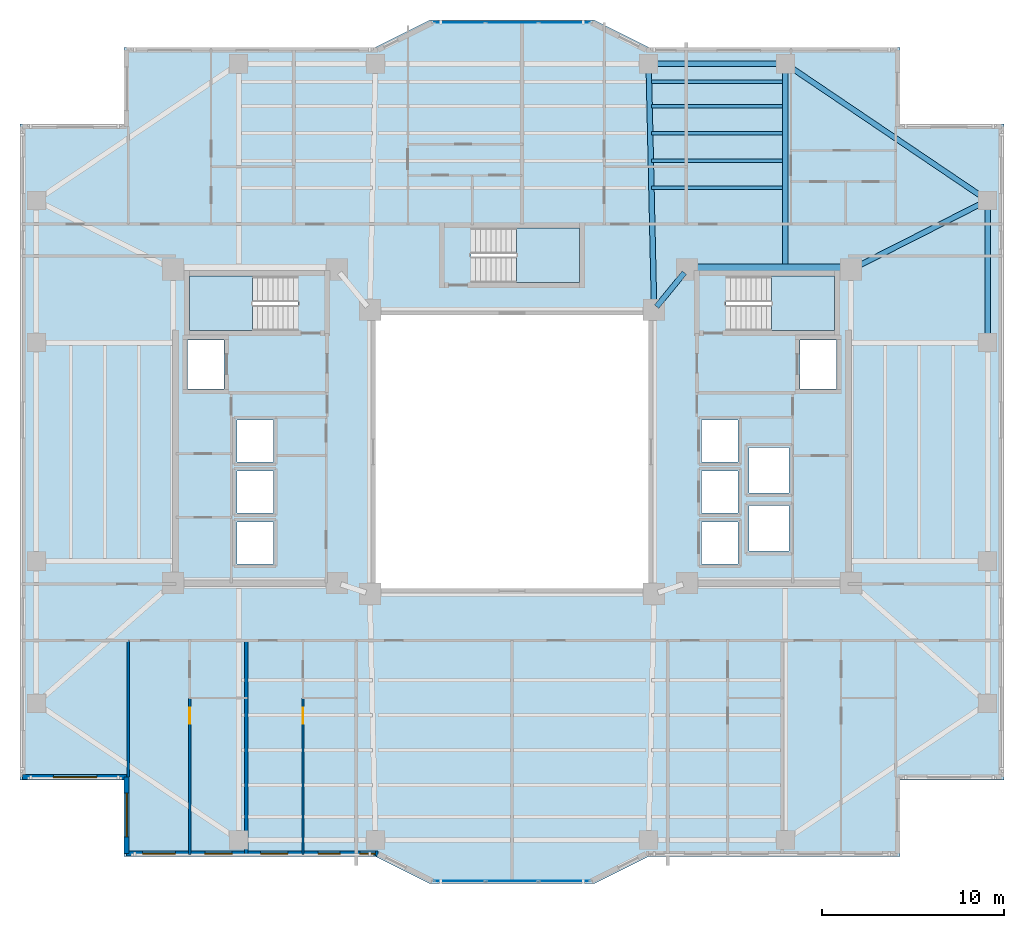
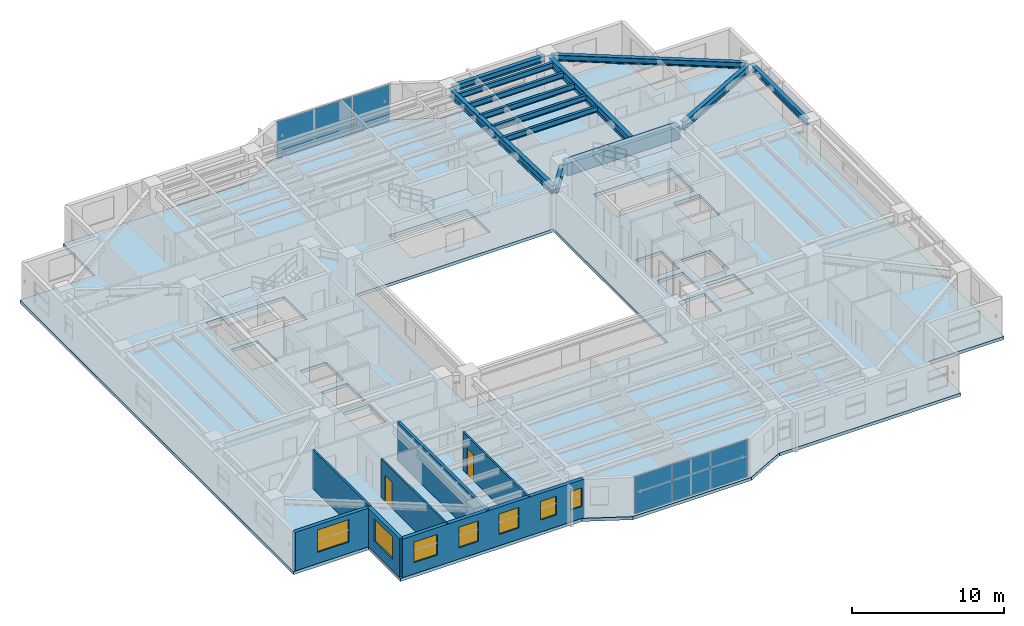
# One storey, part 5 of 18: 13 beams, 7 walls, 7 windows, 6 plates, 4 slabs, 2 doors, 9 openings, 5 elements without a shape of their own.
"""IFC4 building model written with IfcOpenShell, lengths in metres."""

from ifc_helpers import new_model, si_unit, direction, frame, frame_2d, origin, origin_2d, place, context, subcontext, project, spatial, polyline, rectangle, i_section, outline, extrude, material, layer, layer_set, material_profile, profile_set, type_object, element, fill, aggregate, save


model = new_model("IFC4")

# Units and contexts
model_context = context("Model", 3, precision=1e-05, world=origin(), true_north=direction((0.0, 1.0)))
body_context = subcontext(model_context, "Body", "Model", "MODEL_VIEW")
ifc_project = project(units=[si_unit("LENGTHUNIT", "METRE"), si_unit("AREAUNIT", "SQUARE_METRE"), si_unit("VOLUMEUNIT", "CUBIC_METRE"), si_unit("PLANEANGLEUNIT", "RADIAN"), si_unit("MASSUNIT", "GRAM", prefix="KILO")], contexts=[model_context])

# Site, building, storey
site_placement = place(None, origin())
site = spatial("IfcSite", under=ifc_project, at=site_placement, CompositionType="ELEMENT")
building_placement = place(site_placement, origin())
building = spatial("IfcBuilding", under=site, at=building_placement, Name="Tarnavaz Court Tower", CompositionType="ELEMENT")
storey_placement = place(building_placement, frame((0.0, 0.0, 101.75)))
storey = spatial("IfcBuildingStorey", under=building, at=storey_placement, Name="L27", CompositionType="ELEMENT", Elevation=101.75)

# Beams
ifc_material_1 = material(Name="Concrete C60/75", Category="concrete")
ifc_material_profile_1 = material_profile(ifc_material_1, rectangle(XDim=0.60009765625, YDim=1.0, at=origin_2d()), Name="RC 600X1000")
ifc_profile_set_1 = profile_set([ifc_material_profile_1], Name="Concrete C60/75")
beam_type_1 = type_object("IfcBeamType", Name="BM-CB1000", PredefinedType="LINTEL", material=ifc_profile_set_1)
beam_1_placement = place(storey_placement, frame((18.3798828125, 10.0, 2.60009765625), z_axis=(-1.0, 0.0, 0.0), x_axis=(0.0, -1.0, 0.0)))
element("IfcBeam", 1, at=beam_1_placement, inside=storey, type_object=beam_type_1, Name="L27 Beam IN-CE-NO-CE-NI", PredefinedType="LINTEL", context=body_context, shape_type="SweptSolid", body=[
    extrude(rectangle(XDim=0.60009765625, YDim=1.0, at=origin_2d()), origin(), (0.0, 0.0, 1.0), 8.559814453125),
])
ifc_material_2 = material(Name="Steel S355", Category="steel")
ifc_material_profile_2 = material_profile(ifc_material_2, i_section(OverallWidth=0.300048828125, OverallDepth=0.64990234375, WebThickness=0.01611328125, FlangeThickness=0.031005859375, FilletRadius=0.027099609375, at=origin_2d()), Name="HEB 650")
ifc_profile_set_2 = profile_set([ifc_material_profile_2], Name="Steel S355")
beam_type_2 = type_object("IfcBeamType", Name="BM-G-HEB650", PredefinedType="USERDEFINED", material=ifc_profile_set_2)
beam_2_placement = place(storey_placement, frame((9.460693359375, 9.82958984375, 2.77490234375), z_axis=(-0.633282058357, -0.773921077735, 0.0), x_axis=(0.773921077735, -0.633282058357, 0.0)))
element("IfcBeam", 2, at=beam_2_placement, inside=storey, type_object=beam_type_2, Name="L27 Beam IN-CE-NI-IW-NE", ObjectType="GIRDER", PredefinedType="USERDEFINED", context=body_context, shape_type="SweptSolid", body=[
    extrude(i_section(OverallWidth=0.300048828125, OverallDepth=0.64990234375, WebThickness=0.01611328125, FlangeThickness=0.031005859375, FilletRadius=0.027099609375, at=origin_2d()), origin(), (0.0, 0.0, 1.0), 2.402587890625),
])
beam_3_placement = place(storey_placement, frame((7.795166015625, 8.02001953125, 2.77490234375), z_axis=(-0.022221303469, 0.99975307635, 0.0), x_axis=(-0.99975307635, -0.022221303469, 0.0)))
element("IfcBeam", 3, at=beam_3_placement, inside=storey, type_object=beam_type_2, Name="L27 Beam RG-03", ObjectType="GIRDER", PredefinedType="USERDEFINED", context=body_context, shape_type="SweptSolid", body=[
    extrude(i_section(OverallWidth=0.300048828125, OverallDepth=0.64990234375, WebThickness=0.01611328125, FlangeThickness=0.031005859375, FilletRadius=0.027099609375, at=origin_2d()), origin(), (0.0, 0.0, 1.0), 13.063232421875),
])
beam_4_placement = place(storey_placement, frame((15.0, 10.0400390625, 2.77490234375), z_axis=(0.0, 1.0, 0.0), x_axis=(-1.0, 0.0, 0.0)))
element("IfcBeam", 4, at=beam_4_placement, inside=storey, type_object=beam_type_2, Name="L27 Beam RG-04", ObjectType="GIRDER", PredefinedType="USERDEFINED", context=body_context, shape_type="SweptSolid", body=[
    extrude(i_section(OverallWidth=0.300048828125, OverallDepth=0.64990234375, WebThickness=0.01611328125, FlangeThickness=0.031005859375, FilletRadius=0.027099609375, at=origin_2d()), origin(), (0.0, 0.0, 1.0), 11.0400390625),
])
beam_5_placement = place(storey_placement, frame((18.796142578125, 10.099365234375, 2.77490234375), z_axis=(0.892030669981, 0.451974870776, 0.0), x_axis=(-0.451974870776, 0.892030669981, 0.0)))
element("IfcBeam", 5, at=beam_5_placement, inside=storey, type_object=beam_type_2, Name="L27 Beam RG-12", ObjectType="GIRDER", PredefinedType="USERDEFINED", context=body_context, shape_type="SweptSolid", body=[
    extrude(i_section(OverallWidth=0.300048828125, OverallDepth=0.64990234375, WebThickness=0.01611328125, FlangeThickness=0.031005859375, FilletRadius=0.027099609375, at=origin_2d()), origin(), (0.0, 0.0, 1.0), 7.968017578125),
])
ifc_material_profile_3 = material_profile(ifc_material_2, i_section(OverallWidth=0.18994140625, OverallDepth=0.449951171875, WebThickness=0.009521484375, FlangeThickness=0.0146484375, FilletRadius=0.02099609375, at=origin_2d()), Name="IPE 450")
ifc_profile_set_3 = profile_set([ifc_material_profile_3], Name="Steel S355")
beam_type_3 = type_object("IfcBeamType", Name="BM-J-IPE450", PredefinedType="JOIST", material=ifc_profile_set_3)
for number, where, z_axis, x_axis, name in (
    (6, (7.64990234375, 14.493896484375, 2.875), (1.0, 0.0, 0.0), (0.0, 1.0, 0.0), "L27 Beam JN1-3"),
    (7, (7.64990234375, 15.988037109375, 2.875), (1.0, 0.0, 0.0), (0.0, 1.0, 0.0), "L27 Beam JN2-3"),
    (8, (7.64990234375, 17.48193359375, 2.875), (1.0, 0.0, 0.0), (0.0, 1.0, 0.0), "L27 Beam JN3-3"),
    (9, (7.64990234375, 18.97607421875, 2.875), (1.0, 0.0, 0.0), (0.0, 1.0, 0.0), "L27 Beam JN4-3"),
    (10, (7.64990234375, 20.303955078125, 2.875), (1.0, 0.0, 0.0), (0.0, 1.0, 0.0), "L27 Beam JN5-3"),
):
    element("IfcBeam", number, at=place(storey_placement, frame(where, z_axis=z_axis, x_axis=x_axis)), inside=storey, type_object=beam_type_3, Name=name, PredefinedType="JOIST", context=body_context, shape_type="SweptSolid", body=[
        extrude(i_section(OverallWidth=0.18994140625, OverallDepth=0.449951171875, WebThickness=0.009521484375, FlangeThickness=0.0146484375, FilletRadius=0.02099609375, at=origin_2d()), origin(), (0.0, 0.0, 1.0), 7.2001953125),
    ])
ifc_material_profile_4 = material_profile(ifc_material_2, i_section(OverallWidth=0.300048828125, OverallDepth=0.489990234375, WebThickness=0.011962890625, FlangeThickness=0.02294921875, FilletRadius=0.027099609375, at=origin_2d()), Name="HEA 500")
ifc_profile_set_4 = profile_set([ifc_material_profile_4], Name="Steel S355")
beam_type_4 = type_object("IfcBeamType", Name="BM-SP-HEA500", PredefinedType="SPANDREL", material=ifc_profile_set_4)
beam_6_placement = place(storey_placement, frame((7.719970703125, 21.300048828125, 2.85498046875), z_axis=(1.0, 0.0, 0.0), x_axis=(0.0, 1.0, 0.0)))
element("IfcBeam", 11, at=beam_6_placement, inside=storey, type_object=beam_type_4, Name="L27 Beam PR-PN-3-PN-4", PredefinedType="SPANDREL", context=body_context, shape_type="SweptSolid", body=[
    extrude(i_section(OverallWidth=0.300048828125, OverallDepth=0.489990234375, WebThickness=0.011962890625, FlangeThickness=0.02294921875, FilletRadius=0.027099609375, at=origin_2d()), origin(), (0.0, 0.0, 1.0), 7.06005859375),
])
beam_7_placement = place(storey_placement, frame((26.10009765625, 6.219970703125, 2.85498046875), z_axis=(0.0, 1.0, 0.0), x_axis=(-1.0, 0.0, 0.0)))
element("IfcBeam", 12, at=beam_7_placement, inside=storey, type_object=beam_type_4, Name="L27 Beam PR-PE-3-PE-4", PredefinedType="SPANDREL", context=body_context, shape_type="SweptSolid", body=[
    extrude(i_section(OverallWidth=0.300048828125, OverallDepth=0.489990234375, WebThickness=0.011962890625, FlangeThickness=0.02294921875, FilletRadius=0.027099609375, at=origin_2d()), origin(), (0.0, 0.0, 1.0), 7.360107421875),
])
beam_8_placement = place(storey_placement, frame((15.182373046875, 21.1767578125, 2.85498046875), z_axis=(0.828587314918, -0.559859858854, 0.0), x_axis=(0.559859858854, 0.828587314918, 0.0)))
element("IfcBeam", 13, at=beam_8_placement, inside=storey, type_object=beam_type_4, Name="L27 Beam PR-PN-4-PE-4", PredefinedType="SPANDREL", context=body_context, shape_type="SweptSolid", body=[
    extrude(i_section(OverallWidth=0.300048828125, OverallDepth=0.489990234375, WebThickness=0.011962890625, FlangeThickness=0.02294921875, FilletRadius=0.027099609375, at=origin_2d()), origin(), (0.0, 0.0, 1.0), 12.956298828125),
])

# Curtain wall, plates
ifc_material_3 = material(Name="Anodised Aluminium 6063-T6 and Solar Low-E Glazing", Category="aluminium")
ifc_layer_1 = layer(ifc_material_3, 0.179931640625)
ifc_layer_set_1 = layer_set([ifc_layer_1], Name="Anodised Aluminium 6063-T6 and Solar Low-E Glazing")
curtain_wall_type = type_object("IfcCurtainWallType", Name="CW-SYS-02", PredefinedType="NOTDEFINED", material=ifc_layer_set_1)
curtain_wall_1_placement = place(storey_placement, origin())
curtain_wall_1 = element("IfcCurtainWall", 14, at=curtain_wall_1_placement, inside=storey, type_object=curtain_wall_type, Name="L27 Iwan Prow Curtain Wall 7", PredefinedType="NOTDEFINED")
ifc_material_4 = material(Name="Double-Glazed Solar Low-E Glass", Category="glass")
ifc_layer_2 = layer(ifc_material_4, 0.028076171875)
ifc_layer_set_2 = layer_set([ifc_layer_2], Name="Double-Glazed Solar Low-E Glass")
plate_type = type_object("IfcPlateType", Name="CW-PAN-GLZ28", PredefinedType="CURTAIN_PANEL", material=ifc_layer_set_2)
plate_1_placement = place(storey_placement, frame((-2.88134765625, 23.550048828125, 0.06494140625), z_axis=(0.0, 0.0, 1.0), x_axis=(1.0, 0.0, 0.0)))
plate_1 = element("IfcPlate", 15, at=plate_1_placement, type_object=plate_type, Name="CW panel 1.1", PredefinedType="CURTAIN_PANEL", context=body_context, shape_type="SweptSolid", body=[
    extrude(rectangle(XDim=2.78759765625, YDim=0.028076171875, at=origin_2d()), origin(), (0.0, 0.0, 1.0), 2.969970703125),
])
plate_2_placement = place(storey_placement, frame((0.0, 23.550048828125, 0.06494140625), z_axis=(0.0, 0.0, 1.0), x_axis=(1.0, 0.0, 0.0)))
plate_2 = element("IfcPlate", 16, at=plate_2_placement, type_object=plate_type, Name="CW panel 2.1", PredefinedType="CURTAIN_PANEL", context=body_context, shape_type="SweptSolid", body=[
    extrude(rectangle(XDim=2.824951171875, YDim=0.028076171875, at=origin_2d()), origin(), (0.0, 0.0, 1.0), 2.969970703125),
])
plate_3_placement = place(storey_placement, frame((2.88134765625, 23.550048828125, 0.06494140625), z_axis=(0.0, 0.0, 1.0), x_axis=(1.0, 0.0, 0.0)))
plate_3 = element("IfcPlate", 17, at=plate_3_placement, type_object=plate_type, Name="CW panel 3.1", PredefinedType="CURTAIN_PANEL", context=body_context, shape_type="SweptSolid", body=[
    extrude(rectangle(XDim=2.78759765625, YDim=0.028076171875, at=origin_2d()), origin(), (0.0, 0.0, 1.0), 2.969970703125),
])
aggregate(curtain_wall_1, [plate_1, plate_2, plate_3])

curtain_wall_2_placement = place(storey_placement, origin())
curtain_wall_2 = element("IfcCurtainWall", 18, at=curtain_wall_2_placement, inside=storey, type_object=curtain_wall_type, Name="L27 Iwan Prow Curtain Wall 17", PredefinedType="NOTDEFINED")
plate_4_placement = place(storey_placement, frame((2.88134765625, -23.550048828125, 0.06494140625), z_axis=(0.0, 0.0, 1.0), x_axis=(-1.0, 0.0, 0.0)))
plate_4 = element("IfcPlate", 19, at=plate_4_placement, type_object=plate_type, Name="CW panel 1.1", PredefinedType="CURTAIN_PANEL", context=body_context, shape_type="SweptSolid", body=[
    extrude(rectangle(XDim=2.78759765625, YDim=0.028076171875, at=origin_2d()), origin(), (0.0, 0.0, 1.0), 2.969970703125),
])
plate_5_placement = place(storey_placement, frame((0.0, -23.550048828125, 0.06494140625), z_axis=(0.0, 0.0, 1.0), x_axis=(-1.0, 0.0, 0.0)))
plate_5 = element("IfcPlate", 20, at=plate_5_placement, type_object=plate_type, Name="CW panel 2.1", PredefinedType="CURTAIN_PANEL", context=body_context, shape_type="SweptSolid", body=[
    extrude(rectangle(XDim=2.824951171875, YDim=0.028076171875, at=origin_2d()), origin(), (0.0, 0.0, 1.0), 2.969970703125),
])
plate_6_placement = place(storey_placement, frame((-2.88134765625, -23.550048828125, 0.06494140625), z_axis=(0.0, 0.0, 1.0), x_axis=(-1.0, 0.0, 0.0)))
plate_6 = element("IfcPlate", 21, at=plate_6_placement, type_object=plate_type, Name="CW panel 3.1", PredefinedType="CURTAIN_PANEL", context=body_context, shape_type="SweptSolid", body=[
    extrude(rectangle(XDim=2.78759765625, YDim=0.028076171875, at=origin_2d()), origin(), (0.0, 0.0, 1.0), 2.969970703125),
])
aggregate(curtain_wall_2, [plate_4, plate_5, plate_6])

# Stair, slab
ifc_material_5 = material(Name="Concrete C40/50", Category="concrete")
stair_type = type_object("IfcStairType", Name="ST-TWR-20R", PredefinedType="HALF_TURN_STAIR", material=ifc_material_5)
stair_1_placement = place(storey_placement, origin())
stair_1 = element("IfcStair", 22, at=stair_1_placement, inside=storey, type_object=stair_type, Name="L27 West Core Pressurized Exit Stair ST-W1", PredefinedType="HALF_TURN_STAIR")
ifc_layer_3 = layer(ifc_material_5, 0.199951171875)
ifc_layer_set_3 = layer_set([ifc_layer_3], Name="Concrete C40/50")
slab_type_1 = type_object("IfcSlabType", Name="SL-LAND-200", PredefinedType="LANDING", material=ifc_layer_set_3)
slab_1_placement = place(storey_placement, frame((0.0, 0.0, 1.47509765625)))
slab_1 = element("IfcSlab", 23, at=slab_1_placement, type_object=slab_type_1, Name="ST-W1 landing 1", PredefinedType="LANDING", context=body_context, shape_type="SweptSolid", body=[
    extrude(outline(polyline([(-14.239990234375, 9.639892578125), (-17.699951171875, 9.639892578125), (-17.699951171875, 6.64990234375), (-14.239990234375, 6.64990234375), (-14.239990234375, 9.639892578125)])), origin(), (0.0, 0.0, 1.0), 0.199951171875),
])
aggregate(stair_1, [slab_1])

stair_2_placement = place(storey_placement, origin())
stair_2 = element("IfcStair", 24, at=stair_2_placement, inside=storey, type_object=stair_type, Name="L27 East Core Pressurized Exit Stair ST-E1", PredefinedType="HALF_TURN_STAIR")
slab_2_placement = place(storey_placement, frame((0.0, 0.0, 1.47509765625)))
slab_2 = element("IfcSlab", 25, at=slab_2_placement, type_object=slab_type_1, Name="ST-E1 landing 1", PredefinedType="LANDING", context=body_context, shape_type="SweptSolid", body=[
    extrude(outline(polyline([(14.239990234375, 6.64990234375), (17.699951171875, 6.64990234375), (17.699951171875, 9.639892578125), (14.239990234375, 9.639892578125), (14.239990234375, 6.64990234375)])), origin(), (0.0, 0.0, 1.0), 0.199951171875),
])
aggregate(stair_2, [slab_2])

stair_3_placement = place(storey_placement, origin())
stair_3 = element("IfcStair", 26, at=stair_3_placement, inside=storey, type_object=stair_type, Name="L27 North Ring Pressurized Exit Stair ST-N1", PredefinedType="HALF_TURN_STAIR")
slab_3_placement = place(storey_placement, frame((0.0, 0.0, 1.47509765625)))
slab_3 = element("IfcSlab", 27, at=slab_3_placement, type_object=slab_type_1, Name="ST-N1 landing 1", PredefinedType="LANDING", context=body_context, shape_type="SweptSolid", body=[
    extrude(outline(polyline([(0.239990234375, 9.300048828125), (3.699951171875, 9.300048828125), (3.699951171875, 12.2900390625), (0.239990234375, 12.2900390625), (0.239990234375, 9.300048828125)])), origin(), (0.0, 0.0, 1.0), 0.199951171875),
])
aggregate(stair_3, [slab_3])

# Slab
ifc_layer_4 = layer(ifc_material_5, 0.25)
ifc_layer_set_4 = layer_set([ifc_layer_4], Name="Concrete C40/50")
slab_type_2 = type_object("IfcSlabType", Name="SL-RES-250", PredefinedType="FLOOR", material=ifc_layer_set_4)
slab_4_placement = place(storey_placement, frame((0.0, 0.0, -0.25)))
element("IfcSlab", 28, at=slab_4_placement, inside=storey, type_object=slab_type_2, Name="L27 Structural Floor Slab", PredefinedType="FLOOR", context=body_context, shape_type="SweptSolid", body=[
    extrude(outline(polyline([(-21.300048828125, -22.199951171875), (-7.5, -22.199951171875), (-4.5, -23.699951171875), (4.5, -23.699951171875), (7.5, -22.199951171875), (21.300048828125, -22.199951171875), (21.300048828125, -18.0), (27.0, -18.0), (27.0, 18.0), (21.300048828125, 18.0), (21.300048828125, 22.199951171875), (7.5, 22.199951171875), (4.5, 23.699951171875), (-4.5, 23.699951171875), (-7.5, 22.199951171875), (-21.300048828125, 22.199951171875), (-21.300048828125, 18.0), (-27.0, 18.0), (-27.0, -18.0), (-21.300048828125, -18.0), (-21.300048828125, -22.199951171875)]), holes=[polyline([(-7.5, -7.5), (7.5, -7.5), (7.5, 7.5), (-7.5, 7.5), (-7.5, -7.5)]), polyline([(-11.7451171875, 9.639892578125), (-17.699951171875, 9.639892578125), (-17.699951171875, 6.64990234375), (-11.7451171875, 6.64990234375), (-11.7451171875, 9.639892578125)]), polyline([(11.7451171875, 6.64990234375), (17.699951171875, 6.64990234375), (17.699951171875, 9.639892578125), (11.7451171875, 9.639892578125), (11.7451171875, 6.64990234375)]), polyline([(-2.2548828125, 9.300048828125), (3.699951171875, 9.300048828125), (3.699951171875, 12.2900390625), (-2.2548828125, 12.2900390625), (-2.2548828125, 9.300048828125)]), polyline([(-17.800048828125, 3.449951171875), (-15.800048828125, 3.449951171875), (-15.800048828125, 6.14990234375), (-17.800048828125, 6.14990234375), (-17.800048828125, 3.449951171875)]), polyline([(-15.10009765625, -6.14990234375), (-13.10009765625, -6.14990234375), (-13.10009765625, -3.85009765625), (-15.10009765625, -3.85009765625), (-15.10009765625, -6.14990234375)]), polyline([(-15.10009765625, -3.35009765625), (-13.10009765625, -3.35009765625), (-13.10009765625, -1.050048828125), (-15.10009765625, -1.050048828125), (-15.10009765625, -3.35009765625)]), polyline([(-15.10009765625, -0.550048828125), (-13.10009765625, -0.550048828125), (-13.10009765625, 1.75), (-15.10009765625, 1.75), (-15.10009765625, -0.550048828125)]), polyline([(15.800048828125, 3.449951171875), (17.800048828125, 3.449951171875), (17.800048828125, 6.14990234375), (15.800048828125, 6.14990234375), (15.800048828125, 3.449951171875)]), polyline([(10.39990234375, -6.14990234375), (12.39990234375, -6.14990234375), (12.39990234375, -3.85009765625), (10.39990234375, -3.85009765625), (10.39990234375, -6.14990234375)]), polyline([(10.39990234375, -3.35009765625), (12.39990234375, -3.35009765625), (12.39990234375, -1.050048828125), (10.39990234375, -1.050048828125), (10.39990234375, -3.35009765625)]), polyline([(10.39990234375, -0.550048828125), (12.39990234375, -0.550048828125), (12.39990234375, 1.75), (10.39990234375, 1.75), (10.39990234375, -0.550048828125)]), polyline([(13.0, -5.449951171875), (15.199951171875, -5.449951171875), (15.199951171875, -2.949951171875), (13.0, -2.949951171875), (13.0, -5.449951171875)]), polyline([(13.0, -2.25), (15.199951171875, -2.25), (15.199951171875, 0.25), (13.0, 0.25), (13.0, -2.25)])]), origin(), (0.0, 0.0, 1.0), 0.25),
])

# Wall, opening, window
ifc_material_6 = material(Name="Precast Concrete C40/50", Category="concrete")
ifc_layer_5 = layer(ifc_material_6, 0.280029296875)
ifc_layer_set_5 = layer_set([ifc_layer_5], Name="Precast Concrete C40/50")
wall_type_1 = type_object("IfcWallType", Name="WL-EXT-280", PredefinedType="SOLIDWALL", material=ifc_layer_set_5)
wall_1_placement = place(storey_placement, frame((-21.14990234375, -17.85009765625, 0.0), z_axis=(0.0, 0.0, 1.0), x_axis=(-1.0, 0.0, 0.0)))
wall_1 = element("IfcWall", 29, at=wall_1_placement, inside=storey, type_object=wall_type_1, Name="L27 Exterior Terracotta Facade Wall 01", PredefinedType="SOLIDWALL", context=body_context, shape_type="SweptSolid", body=[
    extrude(rectangle(XDim=5.7001953125, YDim=0.280029296875, at=frame_2d((2.85009765625, 0.0))), origin(), (0.0, 0.0, 1.0), 3.10009765625),
])
opening_1_placement = place(wall_1_placement, frame((1.625, 0.0, 0.89990234375)))
opening_1 = element("IfcOpeningElement", 30, at=opening_1_placement, cuts=wall_1, Name="Opening W06", PredefinedType="OPENING", context=body_context, shape_type="SweptSolid", body=[
    extrude(rectangle(XDim=2.39990234375, YDim=1.800048828125, at=frame_2d((1.199951171875, 0.89990234375))), frame((0.0, 0.14990234375, 0.0), z_axis=(0.0, -1.0, 0.0), x_axis=(1.0, 0.0, 0.0)), (0.0, 0.0, 1.0), 0.300048828125),
])
window_type_1 = type_object("IfcWindowType", Name="WN-APT-2400", PartitioningType="TRIPLE_PANEL_VERTICAL", PredefinedType="WINDOW", material=ifc_material_4)
window_1_placement = place(opening_1_placement, origin())
window_1 = element("IfcWindow", 31, at=window_1_placement, inside=storey, type_object=window_type_1, Name="L27 South-West Corner Reading Room Window", OverallHeight=1.800048828125, OverallWidth=2.39990234375, PartitioningType="SINGLE_PANEL", PredefinedType="WINDOW", context=body_context, shape_type="SweptSolid", body=[
    extrude(rectangle(XDim=2.39990234375, YDim=1.800048828125, at=frame_2d((1.199951171875, 0.89990234375))), frame((0.0, 0.030029296875, 0.0), z_axis=(0.0, -1.0, 0.0), x_axis=(1.0, 0.0, 0.0)), (0.0, 0.0, 1.0), 0.06005859375),
])
fill(opening_1, window_1)

# Wall, openings, windows
wall_2_placement = place(storey_placement, frame((-7.35009765625, -22.050048828125, 0.0), z_axis=(0.0, 0.0, 1.0), x_axis=(-1.0, 0.0, 0.0)))
wall_2 = element("IfcWall", 32, at=wall_2_placement, inside=storey, type_object=wall_type_1, Name="L27 Exterior Terracotta Facade Wall 19", PredefinedType="SOLIDWALL", context=body_context, shape_type="SweptSolid", body=[
    extrude(rectangle(XDim=13.7998046875, YDim=0.280029296875, at=frame_2d((6.89990234375, 0.0))), origin(), (0.0, 0.0, 1.0), 3.10009765625),
])
opening_2_placement = place(wall_2_placement, frame((0.14697265625, 0.0, 0.949951171875)))
opening_2 = element("IfcOpeningElement", 33, at=opening_2_placement, cuts=wall_2, Name="Opening W15", PredefinedType="OPENING", context=body_context, shape_type="SweptSolid", body=[
    extrude(rectangle(XDim=0.85009765625, YDim=1.5, at=frame_2d((0.425048828125, 0.75))), frame((0.0, 0.14990234375, 0.0), z_axis=(0.0, -1.0, 0.0), x_axis=(1.0, 0.0, 0.0)), (0.0, 0.0, 1.0), 0.300048828125),
])
opening_3_placement = place(wall_2_placement, frame((2.084716796875, 0.0, 0.949951171875)))
opening_3 = element("IfcOpeningElement", 34, at=opening_3_placement, cuts=wall_2, Name="Opening W05", PredefinedType="OPENING", context=body_context, shape_type="SweptSolid", body=[
    extrude(rectangle(XDim=1.199951171875, YDim=1.5, at=frame_2d((0.60009765625, 0.75))), frame((0.0, 0.14990234375, 0.0), z_axis=(0.0, -1.0, 0.0), x_axis=(1.0, 0.0, 0.0)), (0.0, 0.0, 1.0), 0.300048828125),
])
opening_4_placement = place(wall_2_placement, frame((4.945556640625, 0.0, 0.89990234375)))
opening_4 = element("IfcOpeningElement", 35, at=opening_4_placement, cuts=wall_2, Name="Opening W03", PredefinedType="OPENING", context=body_context, shape_type="SweptSolid", body=[
    extrude(rectangle(XDim=1.5, YDim=1.64990234375, at=frame_2d((0.75, 0.824951171875))), frame((0.0, 0.14990234375, 0.0), z_axis=(0.0, -1.0, 0.0), x_axis=(1.0, 0.0, 0.0)), (0.0, 0.0, 1.0), 0.300048828125),
])
opening_5_placement = place(wall_2_placement, frame((8.006591796875, 0.0, 0.89990234375)))
opening_5 = element("IfcOpeningElement", 36, at=opening_5_placement, cuts=wall_2, Name="Opening W03", PredefinedType="OPENING", context=body_context, shape_type="SweptSolid", body=[
    extrude(rectangle(XDim=1.5, YDim=1.64990234375, at=frame_2d((0.75, 0.824951171875))), frame((0.0, 0.14990234375, 0.0), z_axis=(0.0, -1.0, 0.0), x_axis=(1.0, 0.0, 0.0)), (0.0, 0.0, 1.0), 0.300048828125),
])
opening_6_placement = place(wall_2_placement, frame((11.118408203125, 0.0, 0.89990234375)))
opening_6 = element("IfcOpeningElement", 37, at=opening_6_placement, cuts=wall_2, Name="Opening W01", PredefinedType="OPENING", context=body_context, shape_type="SweptSolid", body=[
    extrude(rectangle(XDim=1.800048828125, YDim=1.64990234375, at=frame_2d((0.89990234375, 0.824951171875))), frame((0.0, 0.14990234375, 0.0), z_axis=(0.0, -1.0, 0.0), x_axis=(1.0, 0.0, 0.0)), (0.0, 0.0, 1.0), 0.300048828125),
])
window_type_2 = type_object("IfcWindowType", Name="WN-APT-1200", PartitioningType="SINGLE_PANEL", PredefinedType="WINDOW", material=ifc_material_4)
window_2_placement = place(opening_3_placement, origin())
window_2 = element("IfcWindow", 38, at=window_2_placement, inside=storey, type_object=window_type_2, Name="L27 Flat 06 Kitchen Window", OverallHeight=1.5, OverallWidth=1.199951171875, PartitioningType="SINGLE_PANEL", PredefinedType="WINDOW", context=body_context, shape_type="SweptSolid", body=[
    extrude(rectangle(XDim=1.199951171875, YDim=1.5, at=frame_2d((0.60009765625, 0.75))), frame((0.0, 0.030029296875, 0.0), z_axis=(0.0, -1.0, 0.0), x_axis=(1.0, 0.0, 0.0)), (0.0, 0.0, 1.0), 0.06005859375),
])
fill(opening_3, window_2)
window_type_3 = type_object("IfcWindowType", Name="WN-APT-1500", PartitioningType="DOUBLE_PANEL_VERTICAL", PredefinedType="WINDOW", material=ifc_material_4)
window_3_placement = place(opening_4_placement, origin())
window_3 = element("IfcWindow", 39, at=window_3_placement, inside=storey, type_object=window_type_3, Name="L27 Flat 06 Studio Living and Sleeping Room Window", OverallHeight=1.64990234375, OverallWidth=1.5, PartitioningType="SINGLE_PANEL", PredefinedType="WINDOW", context=body_context, shape_type="SweptSolid", body=[
    extrude(rectangle(XDim=1.5, YDim=1.64990234375, at=frame_2d((0.75, 0.824951171875))), frame((0.0, 0.030029296875, 0.0), z_axis=(0.0, -1.0, 0.0), x_axis=(1.0, 0.0, 0.0)), (0.0, 0.0, 1.0), 0.06005859375),
])
fill(opening_4, window_3)
window_4_placement = place(opening_5_placement, origin())
window_4 = element("IfcWindow", 40, at=window_4_placement, inside=storey, type_object=window_type_3, Name="L27 Flat 05 Kitchen Window", OverallHeight=1.64990234375, OverallWidth=1.5, PartitioningType="SINGLE_PANEL", PredefinedType="WINDOW", context=body_context, shape_type="SweptSolid", body=[
    extrude(rectangle(XDim=1.5, YDim=1.64990234375, at=frame_2d((0.75, 0.824951171875))), frame((0.0, 0.030029296875, 0.0), z_axis=(0.0, -1.0, 0.0), x_axis=(1.0, 0.0, 0.0)), (0.0, 0.0, 1.0), 0.06005859375),
])
fill(opening_5, window_4)
window_type_4 = type_object("IfcWindowType", Name="WN-APT-1800", PartitioningType="DOUBLE_PANEL_VERTICAL", PredefinedType="WINDOW", material=ifc_material_4)
window_5_placement = place(opening_6_placement, origin())
window_5 = element("IfcWindow", 41, at=window_5_placement, inside=storey, type_object=window_type_4, Name="L27 Flat 05 Studio Living and Sleeping Room Window", OverallHeight=1.64990234375, OverallWidth=1.800048828125, PartitioningType="SINGLE_PANEL", PredefinedType="WINDOW", context=body_context, shape_type="SweptSolid", body=[
    extrude(rectangle(XDim=1.800048828125, YDim=1.64990234375, at=frame_2d((0.89990234375, 0.824951171875))), frame((0.0, 0.030029296875, 0.0), z_axis=(0.0, -1.0, 0.0), x_axis=(1.0, 0.0, 0.0)), (0.0, 0.0, 1.0), 0.06005859375),
])
fill(opening_6, window_5)
window_type_5 = type_object("IfcWindowType", Name="WN-APT-850", PartitioningType="SINGLE_PANEL", PredefinedType="WINDOW", material=ifc_material_4)
window_6_placement = place(opening_2_placement, origin())
window_6 = element("IfcWindow", 42, at=window_6_placement, inside=storey, type_object=window_type_5, Name="L27 South Courtyard Majlis Lounge Window", OverallHeight=1.5, OverallWidth=0.85009765625, PartitioningType="SINGLE_PANEL", PredefinedType="WINDOW", context=body_context, shape_type="SweptSolid", body=[
    extrude(rectangle(XDim=0.85009765625, YDim=1.5, at=frame_2d((0.425048828125, 0.75))), frame((0.0, 0.030029296875, 0.0), z_axis=(0.0, -1.0, 0.0), x_axis=(1.0, 0.0, 0.0)), (0.0, 0.0, 1.0), 0.06005859375),
])
fill(opening_2, window_6)

# Wall, opening, window
wall_3_placement = place(storey_placement, frame((-21.14990234375, -22.050048828125, 0.0), z_axis=(0.0, 0.0, 1.0), x_axis=(0.0, 1.0, 0.0)))
wall_3 = element("IfcWall", 43, at=wall_3_placement, inside=storey, type_object=wall_type_1, Name="L27 Exterior Terracotta Facade Wall 20", PredefinedType="SOLIDWALL", context=body_context, shape_type="SweptSolid", body=[
    extrude(rectangle(XDim=4.199951171875, YDim=0.280029296875, at=frame_2d((2.10009765625, 0.0))), origin(), (0.0, 0.0, 1.0), 3.10009765625),
])
opening_7_placement = place(wall_3_placement, frame((0.917724609375, 0.0, 0.89990234375)))
opening_7 = element("IfcOpeningElement", 44, at=opening_7_placement, cuts=wall_3, Name="Opening W06", PredefinedType="OPENING", context=body_context, shape_type="SweptSolid", body=[
    extrude(rectangle(XDim=2.39990234375, YDim=1.800048828125, at=frame_2d((1.199951171875, 0.89990234375))), frame((0.0, 0.14990234375, 0.0), z_axis=(0.0, -1.0, 0.0), x_axis=(1.0, 0.0, 0.0)), (0.0, 0.0, 1.0), 0.300048828125),
])
window_7_placement = place(opening_7_placement, origin())
window_7 = element("IfcWindow", 45, at=window_7_placement, inside=storey, type_object=window_type_1, Name="L27 Flat 05 Studio Living and Sleeping Room Window", OverallHeight=1.800048828125, OverallWidth=2.39990234375, PartitioningType="SINGLE_PANEL", PredefinedType="WINDOW", context=body_context, shape_type="SweptSolid", body=[
    extrude(rectangle(XDim=2.39990234375, YDim=1.800048828125, at=frame_2d((1.199951171875, 0.89990234375))), frame((0.0, 0.030029296875, 0.0), z_axis=(0.0, -1.0, 0.0), x_axis=(1.0, 0.0, 0.0)), (0.0, 0.0, 1.0), 0.06005859375),
])
fill(opening_7, window_7)

# Wall
ifc_material_7 = material(Name="Autoclaved Aerated Concrete Blockwork", Category="masonry")
ifc_layer_6 = layer(ifc_material_7, 0.199951171875)
ifc_layer_set_6 = layer_set([ifc_layer_6], Name="Autoclaved Aerated Concrete Blockwork")
wall_type_2 = type_object("IfcWallType", Name="WL-FIRE-200", PredefinedType="SOLIDWALL", material=ifc_layer_set_6)
wall_4_placement = place(storey_placement, frame((-14.575927734375, -22.10009765625, 0.0), z_axis=(0.0, 0.0, 1.0), x_axis=(0.0, 1.0, 0.0)))
element("IfcWall", 46, at=wall_4_placement, inside=storey, type_object=wall_type_2, Name="L27 Party Wall 095", PredefinedType="SOLIDWALL", context=body_context, shape_type="SweptSolid", body=[
    extrude(rectangle(XDim=11.75, YDim=0.199951171875, at=frame_2d((5.875, 0.0))), origin(), (0.0, 0.0, 1.0), 3.10009765625),
])

# Wall, opening, door
ifc_material_8 = material(Name="Moisture-Resistant Gypsum Board Partition", Category="masonry")
ifc_layer_7 = layer(ifc_material_8, 0.1201171875)
ifc_layer_set_7 = layer_set([ifc_layer_7], Name="Moisture-Resistant Gypsum Board Partition")
wall_type_3 = type_object("IfcWallType", Name="WL-PART-120", PredefinedType="PARTITIONING", material=ifc_layer_set_7)
wall_5_placement = place(storey_placement, frame((-17.68603515625, -22.10009765625, 0.0), z_axis=(0.0, 0.0, 1.0), x_axis=(0.0, 1.0, 0.0)))
wall_5 = element("IfcWall", 47, at=wall_5_placement, inside=storey, type_object=wall_type_3, Name="L27 Interior Partition 096", PredefinedType="PARTITIONING", context=body_context, shape_type="SweptSolid", body=[
    extrude(rectangle(XDim=8.590087890625, YDim=0.1201171875, at=frame_2d((4.294921875, 0.0))), origin(), (0.0, 0.0, 1.0), 3.10009765625),
])
opening_8_placement = place(wall_5_placement, frame((7.18994140625, 0.0, 0.0)))
opening_8 = element("IfcOpeningElement", 48, at=opening_8_placement, cuts=wall_5, Name="Opening D14", PredefinedType="OPENING", context=body_context, shape_type="SweptSolid", body=[
    extrude(rectangle(XDim=0.8798828125, YDim=2.10009765625, at=frame_2d((0.43994140625, 1.050048828125))), frame((0.0, 0.070068359375, 0.0), z_axis=(0.0, -1.0, 0.0), x_axis=(1.0, 0.0, 0.0)), (0.0, 0.0, 1.0), 0.14013671875),
])
ifc_material_9 = material(Name="Engineered Oak Timber", Category="wood")
door_type = type_object("IfcDoorType", Name="DR-INT-900", OperationType="NOTDEFINED", PredefinedType="DOOR", material=ifc_material_9)
door_1_placement = place(opening_8_placement, origin())
door_1 = element("IfcDoor", 49, at=door_1_placement, inside=storey, type_object=door_type, Name="L27 Flat 05 Kitchen Door", OperationType="SINGLE_SWING_LEFT", OverallHeight=2.10009765625, OverallWidth=0.8798828125, PredefinedType="DOOR", context=body_context, shape_type="SweptSolid", body=[
    extrude(rectangle(XDim=0.8798828125, YDim=2.10009765625, at=frame_2d((0.43994140625, 1.050048828125))), frame((0.0, 0.02490234375, 0.0), z_axis=(0.0, -1.0, 0.0), x_axis=(1.0, 0.0, 0.0)), (0.0, 0.0, 1.0), 0.050048828125),
])
fill(opening_8, door_1)

wall_6_placement = place(storey_placement, frame((-11.470947265625, -22.10009765625, 0.0), z_axis=(0.0, 0.0, 1.0), x_axis=(0.0, 1.0, 0.0)))
wall_6 = element("IfcWall", 50, at=wall_6_placement, inside=storey, type_object=wall_type_3, Name="L27 Interior Partition 099", PredefinedType="PARTITIONING", context=body_context, shape_type="SweptSolid", body=[
    extrude(rectangle(XDim=8.590087890625, YDim=0.1201171875, at=frame_2d((4.294921875, 0.0))), origin(), (0.0, 0.0, 1.0), 3.10009765625),
])
opening_9_placement = place(wall_6_placement, frame((7.18994140625, 0.0, 0.0)))
opening_9 = element("IfcOpeningElement", 51, at=opening_9_placement, cuts=wall_6, Name="Opening D14", PredefinedType="OPENING", context=body_context, shape_type="SweptSolid", body=[
    extrude(rectangle(XDim=0.8798828125, YDim=2.10009765625, at=frame_2d((0.43994140625, 1.050048828125))), frame((0.0, 0.070068359375, 0.0), z_axis=(0.0, -1.0, 0.0), x_axis=(1.0, 0.0, 0.0)), (0.0, 0.0, 1.0), 0.14013671875),
])
door_2_placement = place(opening_9_placement, origin())
door_2 = element("IfcDoor", 52, at=door_2_placement, inside=storey, type_object=door_type, Name="L27 Flat 06 Kitchen Door", OperationType="SINGLE_SWING_RIGHT", OverallHeight=2.10009765625, OverallWidth=0.8798828125, PredefinedType="DOOR", context=body_context, shape_type="SweptSolid", body=[
    extrude(rectangle(XDim=0.8798828125, YDim=2.10009765625, at=frame_2d((0.43994140625, 1.050048828125))), frame((0.0, 0.02490234375, 0.0), z_axis=(0.0, -1.0, 0.0), x_axis=(1.0, 0.0, 0.0)), (0.0, 0.0, 1.0), 0.050048828125),
])
fill(opening_9, door_2)

# Wall
ifc_material_10 = material(Name="Gypsum Plasterboard Acoustic Partition", Category="masonry")
ifc_layer_8 = layer(ifc_material_10, 0.139892578125)
ifc_layer_set_8 = layer_set([ifc_layer_8], Name="Gypsum Plasterboard Acoustic Partition")
wall_type_4 = type_object("IfcWallType", Name="WL-PART-150", PredefinedType="PARTITIONING", material=ifc_layer_set_8)
wall_7_placement = place(storey_placement, frame((-21.050048828125, -17.85009765625, 0.0), z_axis=(0.0, 0.0, 1.0), x_axis=(0.0, 1.0, 0.0)))
element("IfcWall", 53, at=wall_7_placement, inside=storey, type_object=wall_type_4, Name="L27 Interior Partition 117", PredefinedType="PARTITIONING", context=body_context, shape_type="SweptSolid", body=[
    extrude(rectangle(XDim=7.5, YDim=0.139892578125, at=frame_2d((3.75, 0.0))), origin(), (0.0, 0.0, 1.0), 3.10009765625),
])

save(model, "model.ifc")
